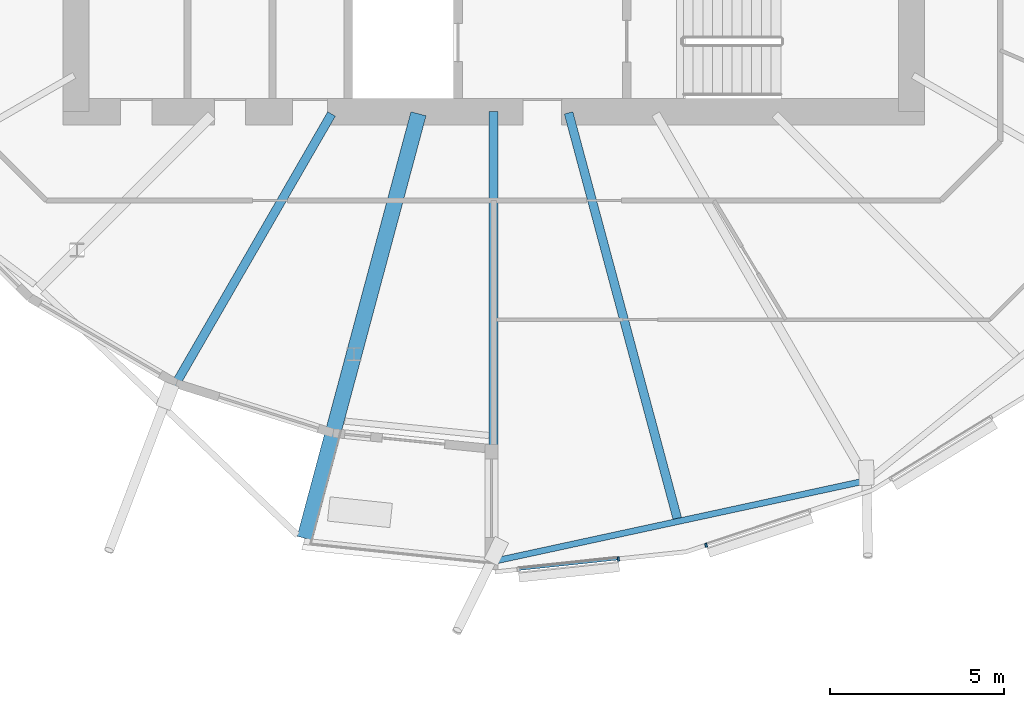
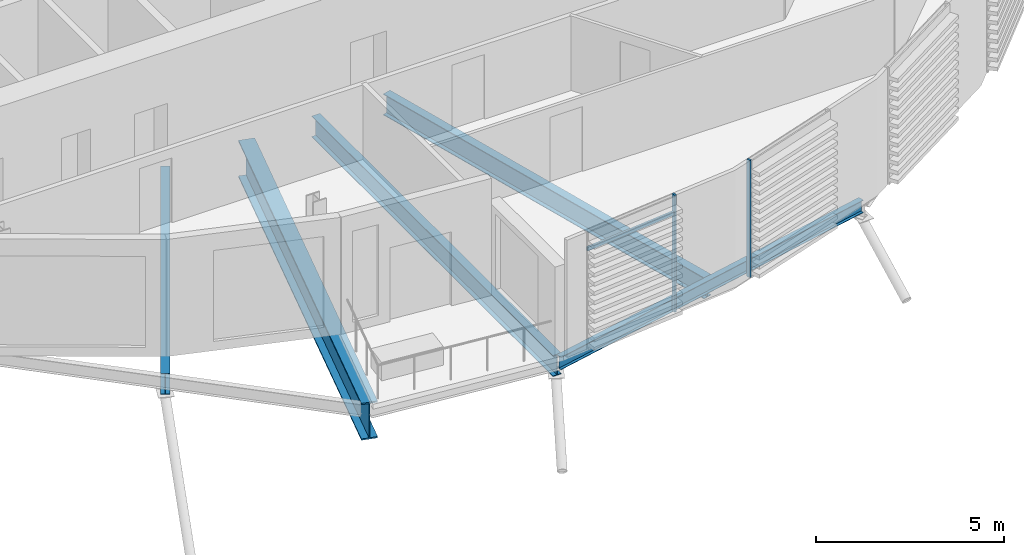
# One storey, part 4 of 43: 5 beams, 3 members, 1 element without a shape of its own.
"""IFC4 building model written with IfcOpenShell, lengths in metres."""

from ifc_helpers import new_model, si_unit, direction, frame, origin, origin_2d, place, context, subcontext, project, spatial, rectangle, i_section, extrude, material, material_profile, profile_set, type_object, element, aggregate, save


model = new_model("IFC4")

# Units and contexts
model_context = context("Model", 3, precision=1e-05, world=origin(), true_north=direction((0.0, 1.0)))
body_context = subcontext(model_context, "Body", "Model", "MODEL_VIEW")
ifc_project = project(units=[si_unit("LENGTHUNIT", "METRE"), si_unit("AREAUNIT", "SQUARE_METRE"), si_unit("VOLUMEUNIT", "CUBIC_METRE"), si_unit("PLANEANGLEUNIT", "RADIAN"), si_unit("MASSUNIT", "GRAM", prefix="KILO")], contexts=[model_context])

# Site, building, storey
site_placement = place(None, origin())
site = spatial("IfcSite", under=ifc_project, at=site_placement, CompositionType="ELEMENT")
building_placement = place(site_placement, origin())
building = spatial("IfcBuilding", under=site, at=building_placement, Name="Rimbun Link Towers", CompositionType="ELEMENT")
storey_placement = place(building_placement, frame((0.0, 0.0, 81.60009765625)))
storey = spatial("IfcBuildingStorey", under=building, at=storey_placement, Name="L19", CompositionType="ELEMENT", Elevation=81.60009765625)

# Curtain wall, members
ifc_material_1 = material(Name="Aluminium 6063-T6 and low-iron glass", Category="aluminium")
curtain_wall_type = type_object("IfcCurtainWallType", Name="CW1-Z2 unitised vision wall (zone 2)", PredefinedType="NOTDEFINED", material=ifc_material_1)
curtain_wall_placement = place(storey_placement, origin())
curtain_wall = element("IfcCurtainWall", 1, at=curtain_wall_placement, inside=storey, type_object=curtain_wall_type, Name="CW1 L19 T1", PredefinedType="NOTDEFINED")
ifc_material_2 = material(Name="Aluminium 6063-T6", Category="aluminium")
ifc_material_profile_1 = material_profile(ifc_material_2, rectangle(XDim=0.1201171875, YDim=0.06005859375, at=origin_2d()), Name="MULLION 60X120")
ifc_profile_set_1 = profile_set([ifc_material_profile_1], Name="Aluminium 6063-T6")
member_type_1 = type_object("IfcMemberType", Name="CW1 mullion 60X120", PredefinedType="MULLION", material=ifc_profile_set_1)
member_1_placement = place(storey_placement, frame((-28.167236328125, -20.84912109375, 0.0), z_axis=(0.0, 0.0, 1.0), x_axis=(0.104736404583, -0.994500017876, 0.0)))
member_1 = element("IfcMember", 2, at=member_1_placement, type_object=member_type_1, Name="CW1 mullion", PredefinedType="MULLION", context=body_context, shape_type="SweptSolid", body=[
    extrude(rectangle(XDim=0.1201171875, YDim=0.06005859375, at=origin_2d()), origin(), (0.0, 0.0, 1.0), 3.7998046875),
])
member_2_placement = place(storey_placement, frame((-25.645751953125, -20.453369140625, 0.0), z_axis=(0.0, 0.0, 1.0), x_axis=(0.314576015911, -0.949232284646, 0.0)))
member_2 = element("IfcMember", 3, at=member_2_placement, type_object=member_type_1, Name="CW1 mullion", PredefinedType="MULLION", context=body_context, shape_type="SweptSolid", body=[
    extrude(rectangle(XDim=0.1201171875, YDim=0.06005859375, at=origin_2d()), origin(), (0.0, 0.0, 1.0), 3.7998046875),
])
ifc_material_3 = material(Name="Aluminium 6063-T6", Category="aluminium")
ifc_material_profile_2 = material_profile(ifc_material_3, rectangle(XDim=0.06005859375, YDim=0.1201171875, at=origin_2d()), Name="TRANSOM 60X120")
ifc_profile_set_2 = profile_set([ifc_material_profile_2], Name="Aluminium 6063-T6")
member_type_2 = type_object("IfcMemberType", Name="CW1 transom 60X120", PredefinedType="USERDEFINED", material=ifc_profile_set_2)
member_3_placement = place(storey_placement, frame((-28.197265625, -20.85009765625, 3.199951171875), z_axis=(-0.994497431471, -0.104760960279, 0.0), x_axis=(0.104760960279, -0.994497431471, 0.0)))
member_3 = element("IfcMember", 4, at=member_3_placement, type_object=member_type_2, Name="CW1 transom", ObjectType="TRANSOM", PredefinedType="USERDEFINED", context=body_context, shape_type="SweptSolid", body=[
    extrude(rectangle(XDim=0.06005859375, YDim=0.1201171875, at=origin_2d()), origin(), (0.0, 0.0, 1.0), 2.836181640625),
])
aggregate(curtain_wall, [member_1, member_2, member_3])

# Beams
ifc_material_4 = material(Name="Steel S355J2", Category="steel")
ifc_material_profile_3 = material_profile(ifc_material_4, i_section(OverallWidth=0.449951171875, OverallDepth=1.199951171875, WebThickness=0.030029296875, FlangeThickness=0.044921875, at=origin_2d()), Name="PG 1200x450x30/45")
ifc_profile_set_3 = profile_set([ifc_material_profile_3], Name="Steel S355J2")
beam_type_1 = type_object("IfcBeamType", Name="PG 1200x450x30/45", PredefinedType="BEAM", material=ifc_profile_set_3)
beam_1_placement = place(storey_placement, frame((-33.909423828125, -8.05908203125, -0.760009765625), z_axis=(-0.258824053893, -0.965924484174, 0.0), x_axis=(0.965924484174, -0.258824053893, 0.0)))
element("IfcBeam", 5, at=beam_1_placement, inside=storey, type_object=beam_type_1, Name="Radial beam T1 L19 17", PredefinedType="BEAM", context=body_context, shape_type="SweptSolid", body=[
    extrude(i_section(OverallWidth=0.449951171875, OverallDepth=1.199951171875, WebThickness=0.030029296875, FlangeThickness=0.044921875, at=origin_2d()), origin(), (0.0, 0.0, 1.0), 12.623779296875),
])
ifc_material_5 = material(Name="Steel S355J2", Category="steel")
ifc_material_profile_4 = material_profile(ifc_material_5, i_section(OverallWidth=0.177978515625, OverallDepth=0.406494140625, WebThickness=0.0078125, FlangeThickness=0.0126953125, at=origin_2d()), Name="UB 406x178x60")
ifc_profile_set_4 = profile_set([ifc_material_profile_4], Name="Steel S355J2")
beam_type_2 = type_object("IfcBeamType", Name="UB 406x178x60", PredefinedType="BEAM", material=ifc_profile_set_4)
beam_2_placement = place(storey_placement, frame((-31.7490234375, -20.914306640625, -0.36328125), z_axis=(0.977388148575, 0.211453084693, 0.0), x_axis=(-0.211453084693, 0.977388148575, 0.0)))
element("IfcBeam", 6, at=beam_2_placement, inside=storey, type_object=beam_type_2, Name="Edge beam T1 L19 18-20", PredefinedType="BEAM", context=body_context, shape_type="SweptSolid", body=[
    extrude(i_section(OverallWidth=0.177978515625, OverallDepth=0.406494140625, WebThickness=0.0078125, FlangeThickness=0.0126953125, at=origin_2d()), origin(), (0.0, 0.0, 1.0), 10.847412109375),
])
ifc_material_6 = material(Name="Steel S355J2", Category="steel")
ifc_material_profile_5 = material_profile(ifc_material_6, i_section(OverallWidth=0.253662109375, OverallDepth=0.68359375, WebThickness=0.012451171875, FlangeThickness=0.01904296875, at=origin_2d()), Name="UB 686x254x140")
ifc_profile_set_5 = profile_set([ifc_material_profile_5], Name="Steel S355J2")
beam_type_3 = type_object("IfcBeamType", Name="UB 686x254x140", PredefinedType="BEAM", material=ifc_profile_set_5)
beam_3_placement = place(storey_placement, frame((-36.406005859375, -8.064208984375, -0.501953125), z_axis=(-0.499985771328, -0.866033618556, 0.0), x_axis=(0.866033618556, -0.499985771328, 0.0)))
element("IfcBeam", 7, at=beam_3_placement, inside=storey, type_object=beam_type_3, Name="Radial beam T1 L19 16", PredefinedType="BEAM", context=body_context, shape_type="SweptSolid", body=[
    extrude(i_section(OverallWidth=0.253662109375, OverallDepth=0.68359375, WebThickness=0.012451171875, FlangeThickness=0.01904296875, at=origin_2d()), origin(), (0.0, 0.0, 1.0), 9.604248046875),
])
beam_4_placement = place(storey_placement, frame((-31.75, -8.0009765625, -0.501953125), z_axis=(0.0, -1.0, 0.0), x_axis=(1.0, 0.0, 0.0)))
element("IfcBeam", 8, at=beam_4_placement, inside=storey, type_object=beam_type_3, Name="Radial beam T1 L19 18", PredefinedType="BEAM", context=body_context, shape_type="SweptSolid", body=[
    extrude(i_section(OverallWidth=0.253662109375, OverallDepth=0.68359375, WebThickness=0.012451171875, FlangeThickness=0.01904296875, at=origin_2d()), origin(), (0.0, 0.0, 1.0), 12.8232421875),
])
beam_5_placement = place(storey_placement, frame((-29.597412109375, -8.03369140625, -0.501953125), z_axis=(0.258821765746, -0.965925097291, 0.0), x_axis=(0.965925097291, 0.258821765746, 0.0)))
element("IfcBeam", 9, at=beam_5_placement, inside=storey, type_object=beam_type_3, Name="Radial beam T1 L19 19", PredefinedType="BEAM", context=body_context, shape_type="SweptSolid", body=[
    extrude(i_section(OverallWidth=0.253662109375, OverallDepth=0.68359375, WebThickness=0.012451171875, FlangeThickness=0.01904296875, at=origin_2d()), origin(), (0.0, 0.0, 1.0), 12.058837890625),
])

save(model, "model.ifc")
